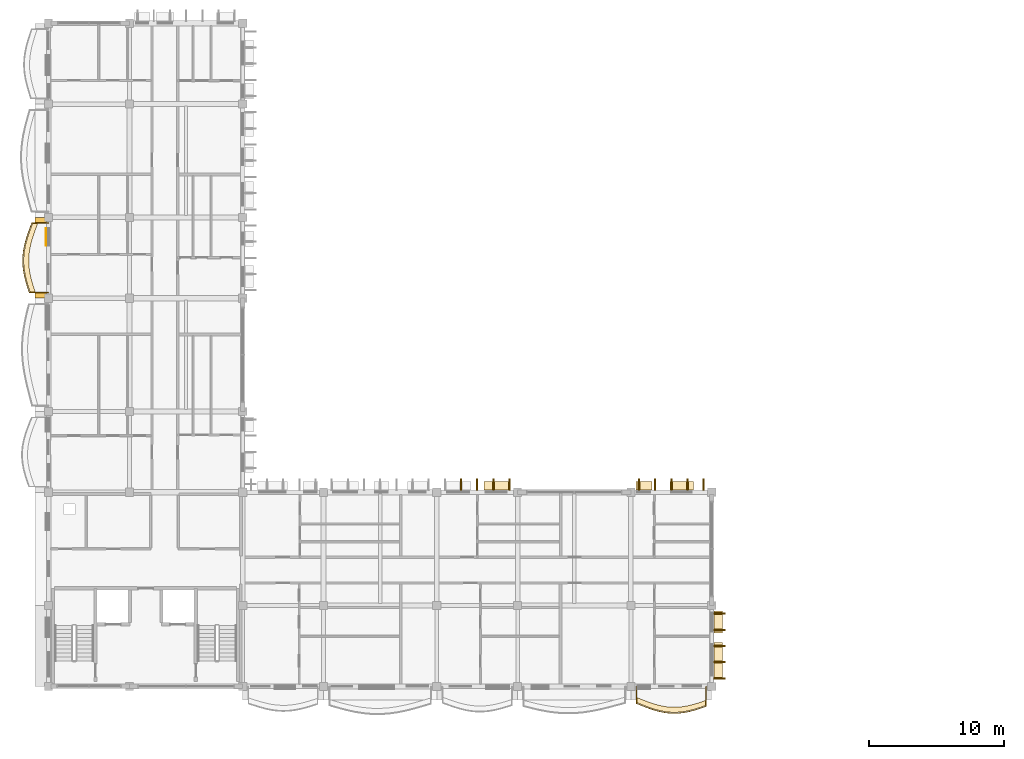
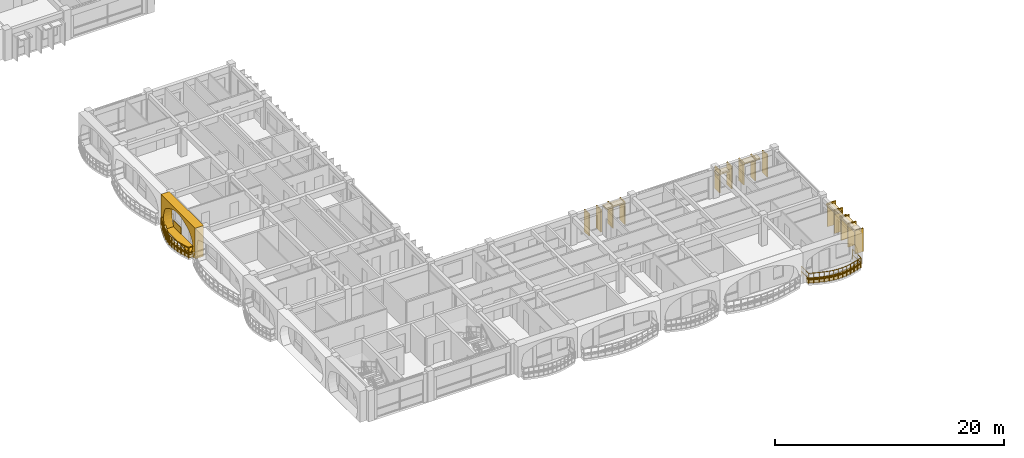
# One storey, part 55 of 79: 23 coverings, 2 railings.
"""IFC4 building model written with IfcOpenShell, lengths in metres."""

from ifc_helpers import new_model, si_unit, direction, frame, origin, origin_2d, place, context, subcontext, project, spatial, polyline, rectangle, outline, extrude, material, layer, layer_set, type_object, element, save


model = new_model("IFC4")

# Units and contexts
model_context = context("Model", 3, precision=1e-05, world=origin(), true_north=direction((0.0, 1.0)))
body_context = subcontext(model_context, "Body", "Model", "MODEL_VIEW")
ifc_project = project(units=[si_unit("LENGTHUNIT", "METRE"), si_unit("AREAUNIT", "SQUARE_METRE"), si_unit("VOLUMEUNIT", "CUBIC_METRE"), si_unit("PLANEANGLEUNIT", "RADIAN"), si_unit("MASSUNIT", "GRAM", prefix="KILO"), si_unit("THERMODYNAMICTEMPERATUREUNIT", "KELVIN")], contexts=[model_context])

# Site, building, storey
site_placement = place(None, origin())
site = spatial("IfcSite", under=ifc_project, at=site_placement, CompositionType="ELEMENT")
building_placement = place(site_placement, origin())
building = spatial("IfcBuilding", under=site, at=building_placement, Name="Thalorik Housing Commons", CompositionType="ELEMENT")
storey_placement = place(building_placement, frame((0.0, 0.0, 11.39990234375)))
storey = spatial("IfcBuildingStorey", under=building, at=storey_placement, Name="L03", CompositionType="ELEMENT", Elevation=11.39990234375)

# Coverings
ifc_material_1 = material(Name="Precast concrete C40/50", Category="concrete")
ifc_layer_1 = layer(ifc_material_1, 0.85009765625, Name="Precast concrete C40/50", Category="concrete")
ifc_layer_set_1 = layer_set([ifc_layer_1], Name="Precast concrete C40/50")
covering_type_1 = type_object("IfcCoveringType", Name="ARC-CLD-CUSH-850", PredefinedType="CLADDING", material=ifc_layer_set_1)
covering_1_placement = place(storey_placement, frame((7.822509765625, 40.199951171875, 0.0), z_axis=(0.0, 0.0, 1.0), x_axis=(0.0, -1.0, 0.0)))
element("IfcCovering", 1, at=covering_1_placement, inside=storey, type_object=covering_type_1, Name="L03 White Precast Curved Cushion Bay Frame 3716", PredefinedType="CLADDING", context=body_context, shape_type="SweptSolid", body=[
    extrude(outline(polyline([(-3.0, 0.0), (3.0, 0.0), (3.0, 3.300048828125), (-3.0, 3.300048828125), (-3.0, 0.0)]), holes=[polyline([(2.0400390625, 0.02490234375), (2.3232421875, 0.394287109375), (2.493408203125, 0.76318359375), (2.550048828125, 1.132568359375), (2.493408203125, 1.501708984375), (2.3232421875, 1.870849609375), (2.0400390625, 2.239990234375), (1.68408203125, 2.4833984375), (1.328369140625, 2.6748046875), (0.972412109375, 2.82958984375), (0.61669921875, 2.94482421875), (0.2607421875, 3.01611328125), (-0.094970703125, 3.0400390625), (-0.45068359375, 3.01611328125), (-0.806640625, 2.94482421875), (-1.16259765625, 2.82958984375), (-1.518310546875, 2.6748046875), (-1.874267578125, 2.4833984375), (-2.22998046875, 2.239990234375), (-2.40771484375, 1.870849609375), (-2.514404296875, 1.501708984375), (-2.550048828125, 1.132568359375), (-2.514404296875, 0.76318359375), (-2.40771484375, 0.394287109375), (-2.22998046875, 0.02490234375), (2.0400390625, 0.02490234375)])]), frame((0.0, 0.425048828125, 0.0), z_axis=(0.0, -1.0, 0.0), x_axis=(1.0, 0.0, 0.0)), (0.0, 0.0, 1.0), 0.85009765625),
])
ifc_layer_2 = layer(ifc_material_1, 0.85009765625, Name="Precast concrete C40/50", Category="concrete")
ifc_layer_set_2 = layer_set([ifc_layer_2], Name="Precast concrete C40/50")
covering_type_2 = type_object("IfcCoveringType", Name="ARC-CLD-FIN-850", PredefinedType="CLADDING", material=ifc_layer_set_2)
for number, where, z_axis, x_axis, name in (
    (2, (58.177490234375, 9.0, 0.0400390625), (0.0, 0.0, 1.0), (0.0, 1.0, 0.0), "L03 Courtyard Precast Vertical Brise-Soleil Fin 3736"),
    (3, (58.177490234375, 10.199951171875, 0.0400390625), (0.0, 0.0, 1.0), (0.0, 1.0, 0.0), "L03 Courtyard Precast Vertical Brise-Soleil Fin 3737"),
    (4, (58.177490234375, 11.39990234375, 0.0400390625), (0.0, 0.0, 1.0), (0.0, 1.0, 0.0), "L03 Courtyard Precast Vertical Brise-Soleil Fin 3738"),
    (5, (58.177490234375, 12.60009765625, 0.0400390625), (0.0, 0.0, 1.0), (0.0, 1.0, 0.0), "L03 Courtyard Precast Vertical Brise-Soleil Fin 3739"),
    (6, (58.177490234375, 13.800048828125, 0.0400390625), (0.0, 0.0, 1.0), (0.0, 1.0, 0.0), "L03 Courtyard Precast Vertical Brise-Soleil Fin 3740"),
):
    element("IfcCovering", number, at=place(storey_placement, frame(where, z_axis=z_axis, x_axis=x_axis)), inside=storey, type_object=covering_type_2, Name=name, PredefinedType="CLADDING", context=body_context, shape_type="SweptSolid", body=[
        extrude(rectangle(XDim=0.110107421875, YDim=0.85009765625, at=origin_2d()), origin(), (0.0, 0.0, 1.0), 2.4951171875),
    ])
for number, where, z_axis, x_axis, name in (
    (7, (57.0, 23.37744140625, 0.0400390625), (0.0, 0.0, 1.0), (-1.0, 0.0, 0.0), "L03 Courtyard Precast Vertical Brise-Soleil Fin 3743"),
    (8, (55.800048828125, 23.37744140625, 0.0400390625), (0.0, 0.0, 1.0), (-1.0, 0.0, 0.0), "L03 Courtyard Precast Vertical Brise-Soleil Fin 3744"),
    (9, (54.60009765625, 23.37744140625, 0.0400390625), (0.0, 0.0, 1.0), (-1.0, 0.0, 0.0), "L03 Courtyard Precast Vertical Brise-Soleil Fin 3745"),
    (10, (53.39990234375, 23.37744140625, 0.0400390625), (0.0, 0.0, 1.0), (-1.0, 0.0, 0.0), "L03 Courtyard Precast Vertical Brise-Soleil Fin 3746"),
    (11, (52.199951171875, 23.37744140625, 0.0400390625), (0.0, 0.0, 1.0), (-1.0, 0.0, 0.0), "L03 Courtyard Precast Vertical Brise-Soleil Fin 3747"),
    (12, (42.60009765625, 23.37744140625, 0.0400390625), (0.0, 0.0, 1.0), (-1.0, 0.0, 0.0), "L03 Courtyard Precast Vertical Brise-Soleil Fin 3750"),
    (13, (41.39990234375, 23.37744140625, 0.0400390625), (0.0, 0.0, 1.0), (-1.0, 0.0, 0.0), "L03 Courtyard Precast Vertical Brise-Soleil Fin 3751"),
    (14, (40.199951171875, 23.37744140625, 0.0400390625), (0.0, 0.0, 1.0), (-1.0, 0.0, 0.0), "L03 Courtyard Precast Vertical Brise-Soleil Fin 3752"),
    (15, (39.0, 23.37744140625, 0.0400390625), (0.0, 0.0, 1.0), (-1.0, 0.0, 0.0), "L03 Courtyard Precast Vertical Brise-Soleil Fin 3753"),
):
    element("IfcCovering", number, at=place(storey_placement, frame(where, z_axis=z_axis, x_axis=x_axis)), inside=storey, type_object=covering_type_2, Name=name, PredefinedType="CLADDING", context=body_context, shape_type="SweptSolid", body=[
        extrude(rectangle(XDim=0.110107421875, YDim=0.85009765625, at=origin_2d()), origin(), (0.0, 0.0, 1.0), 2.39501953125),
    ])
ifc_layer_3 = layer(ifc_material_1, 0.64990234375, Name="Precast concrete C40/50", Category="concrete")
ifc_layer_set_3 = layer_set([ifc_layer_3], Name="Precast concrete C40/50")
covering_type_3 = type_object("IfcCoveringType", Name="ARC-CLD-HOOD-650", PredefinedType="CLADDING", material=ifc_layer_set_3)
covering_2_placement = place(storey_placement, frame((58.077392578125, 10.353759765625, 2.34033203125), z_axis=(0.0, 0.0, 1.0), x_axis=(0.0, 1.0, 0.0)))
element("IfcCovering", 16, at=covering_2_placement, inside=storey, type_object=covering_type_3, Name="L03 Courtyard Precast Window Sun-Hood 3741", PredefinedType="CLADDING", context=body_context, shape_type="SweptSolid", body=[
    extrude(rectangle(XDim=2.590087890625, YDim=0.64990234375, at=origin_2d()), origin(), (0.0, 0.0, 1.0), 0.139892578125),
])
covering_3_placement = place(storey_placement, frame((58.077392578125, 13.163818359375, 2.240234375), z_axis=(0.0, 0.0, 1.0), x_axis=(0.0, 1.0, 0.0)))
element("IfcCovering", 17, at=covering_3_placement, inside=storey, type_object=covering_type_3, Name="L03 Courtyard Precast Window Sun-Hood 3742", PredefinedType="CLADDING", context=body_context, shape_type="SweptSolid", body=[
    extrude(rectangle(XDim=1.639892578125, YDim=0.64990234375, at=origin_2d()), origin(), (0.0, 0.0, 1.0), 0.139892578125),
])
covering_4_placement = place(storey_placement, frame((55.373291015625, 23.277587890625, 2.2099609375), z_axis=(0.0, 0.0, 1.0), x_axis=(-1.0, 0.0, 0.0)))
element("IfcCovering", 18, at=covering_4_placement, inside=storey, type_object=covering_type_3, Name="L03 Courtyard Precast Window Sun-Hood 3748", PredefinedType="CLADDING", context=body_context, shape_type="SweptSolid", body=[
    extrude(rectangle(XDim=1.760009765625, YDim=0.64990234375, at=origin_2d()), origin(), (0.0, 0.0, 1.0), 0.139892578125),
])
covering_5_placement = place(storey_placement, frame((52.5634765625, 23.277587890625, 1.93994140625), z_axis=(0.0, 0.0, 1.0), x_axis=(-1.0, 0.0, 0.0)))
element("IfcCovering", 19, at=covering_5_placement, inside=storey, type_object=covering_type_3, Name="L03 Courtyard Precast Window Sun-Hood 3749", PredefinedType="CLADDING", context=body_context, shape_type="SweptSolid", body=[
    extrude(rectangle(XDim=1.18994140625, YDim=0.64990234375, at=origin_2d()), origin(), (0.0, 0.0, 1.0), 0.139892578125),
])
covering_6_placement = place(storey_placement, frame((41.611328125, 23.277587890625, 2.27001953125), z_axis=(0.0, 0.0, 1.0), x_axis=(-1.0, 0.0, 0.0)))
element("IfcCovering", 20, at=covering_6_placement, inside=storey, type_object=covering_type_3, Name="L03 Courtyard Precast Window Sun-Hood 3755", PredefinedType="CLADDING", context=body_context, shape_type="SweptSolid", body=[
    extrude(rectangle(XDim=1.820068359375, YDim=0.64990234375, at=origin_2d()), origin(), (0.0, 0.0, 1.0), 0.139892578125),
])
ifc_material_2 = material(Name="Mineral ochre architectural terracotta panel", Category="masonry")
ifc_layer_4 = layer(ifc_material_2, 0.06494140625, Name="Mineral ochre architectural terracotta panel", Category="masonry")
ifc_layer_set_4 = layer_set([ifc_layer_4], Name="Mineral ochre architectural terracotta panel")
covering_type_4 = type_object("IfcCoveringType", Name="ARC-CLD-YEL-65", PredefinedType="CLADDING", material=ifc_layer_set_4)
covering_7_placement = place(storey_placement, frame((8.2099609375, 41.72998046875, 0.05029296875), z_axis=(0.0, 0.0, 1.0), x_axis=(0.0, -1.0, 0.0)))
element("IfcCovering", 21, at=covering_7_placement, inside=storey, type_object=covering_type_4, Name="L03 De Stijl Recessed Window Spandrel 3717", PredefinedType="CLADDING", context=body_context, shape_type="SweptSolid", body=[
    extrude(rectangle(XDim=1.300048828125, YDim=0.06494140625, at=origin_2d()), origin(), (0.0, 0.0, 1.0), 0.699951171875),
])
ifc_material_3 = material(Name="Planted vegetated substrate and terracotta trough", Category="masonry")
ifc_layer_5 = layer(ifc_material_3, 0.340087890625, Name="Planted vegetated substrate and terracotta trough", Category="masonry")
ifc_layer_set_5 = layer_set([ifc_layer_5], Name="Planted vegetated substrate and terracotta trough")
covering_type_5 = type_object("IfcCoveringType", Name="ARC-COV-PLANTER", PredefinedType="USERDEFINED", material=ifc_layer_set_5)
covering_8_placement = place(storey_placement, origin())
element("IfcCovering", 22, at=covering_8_placement, inside=storey, type_object=covering_type_5, Name="L03 Balcony Slab-Edge Planted Trough 5579", ObjectType="PLANTER", PredefinedType="USERDEFINED", context=body_context, shape_type="SweptSolid", body=[
    extrude(outline(polyline([(7.219482421875, 42.780029296875), (7.060791015625, 42.35009765625), (6.90869140625, 41.919921875), (6.773681640625, 41.489990234375), (6.6640625, 41.06005859375), (6.58740234375, 40.6298828125), (6.548583984375, 40.199951171875), (6.549072265625, 39.77001953125), (6.588623046875, 39.340087890625), (6.66357421875, 38.909912109375), (6.768310546875, 38.47998046875), (6.894775390625, 38.050048828125), (7.03369140625, 37.6201171875), (7.41357421875, 37.6201171875), (7.274658203125, 38.050048828125), (7.148193359375, 38.47998046875), (7.043701171875, 38.909912109375), (6.968505859375, 39.340087890625), (6.92919921875, 39.77001953125), (6.928466796875, 40.199951171875), (6.967529296875, 40.6298828125), (7.044189453125, 41.06005859375), (7.153564453125, 41.489990234375), (7.288818359375, 41.919921875), (7.44091796875, 42.35009765625), (7.599609375, 42.780029296875), (7.219482421875, 42.780029296875)])), origin(), (0.0, 0.0, 1.0), 0.340087890625),
])
covering_9_placement = place(storey_placement, origin())
element("IfcCovering", 23, at=covering_9_placement, inside=storey, type_object=covering_type_5, Name="L03 Balcony Slab-Edge Planted Trough 5586", ObjectType="PLANTER", PredefinedType="USERDEFINED", context=body_context, shape_type="SweptSolid", body=[
    extrude(outline(polyline([(52.02001953125, 7.20068359375), (52.449951171875, 7.028564453125), (52.8798828125, 6.864013671875), (53.31005859375, 6.718017578125), (53.739990234375, 6.599853515625), (54.169921875, 6.5166015625), (54.60009765625, 6.473388671875), (55.030029296875, 6.47265625), (55.4599609375, 6.51318359375), (55.889892578125, 6.59228515625), (56.320068359375, 6.703125), (56.75, 6.83837890625), (57.179931640625, 6.98779296875), (57.179931640625, 7.367919921875), (56.75, 7.21826171875), (56.320068359375, 7.083251953125), (55.889892578125, 6.97216796875), (55.4599609375, 6.893310546875), (55.030029296875, 6.8525390625), (54.60009765625, 6.853515625), (54.169921875, 6.896484375), (53.739990234375, 6.979736328125), (53.31005859375, 7.09814453125), (52.8798828125, 7.244140625), (52.449951171875, 7.40869140625), (52.02001953125, 7.580810546875), (52.02001953125, 7.20068359375)])), origin(), (0.0, 0.0, 1.0), 0.340087890625),
])

# Railings
ifc_material_4 = material(Name="Steel S355", Category="steel")
railing_type_1 = type_object("IfcRailingType", Name="ARC-RL-BAL-112", PredefinedType="BALUSTRADE", material=ifc_material_4)
railing_1_placement = place(storey_placement, frame((52.02001953125, 8.39990234375, 0.0)))
element("IfcRailing", 24, at=railing_1_placement, inside=storey, type_object=railing_type_1, Name="L03 Cushion Balcony Guardrail 270", PredefinedType="BALUSTRADE", context=body_context, shape_type="SweptSolid", body=[
    extrude(rectangle(XDim=0.050048828125, YDim=0.050048828125, at=origin_2d()), frame((0.0, 0.0, 1.09521484375), z_axis=(0.0, -1.0, 0.0), x_axis=(1.0, 0.0, 0.0)), (0.0, 0.0, 1.0), 1.26904296875),
    extrude(rectangle(XDim=0.050048828125, YDim=0.050048828125, at=origin_2d()), frame((0.0, 0.0, 0.53515625), z_axis=(0.0, -1.0, 0.0), x_axis=(1.0, 0.0, 0.0)), (0.0, 0.0, 1.0), 1.26904296875),
    extrude(rectangle(XDim=0.050048828125, YDim=0.050048828125, at=origin_2d()), frame((0.0, -1.26904296875, 1.09521484375), z_axis=(0.928185604214, -0.372117567618, 0.0), x_axis=(0.372117567618, 0.928185604214, 0.0)), (0.0, 0.0, 1.0), 0.463134765625),
    extrude(rectangle(XDim=0.050048828125, YDim=0.050048828125, at=origin_2d()), frame((0.0, -1.26904296875, 0.53515625), z_axis=(0.928185604214, -0.372117567618, 0.0), x_axis=(0.372117567618, 0.928185604214, 0.0)), (0.0, 0.0, 1.0), 0.463134765625),
    extrude(rectangle(XDim=0.050048828125, YDim=0.050048828125, at=origin_2d()), frame((0.429931640625, -1.44140625, 1.09521484375), z_axis=(0.934109070597, -0.356987736804, 0.0), x_axis=(0.356987736804, 0.934109070597, 0.0)), (0.0, 0.0, 1.0), 0.460205078125),
    extrude(rectangle(XDim=0.050048828125, YDim=0.050048828125, at=origin_2d()), frame((0.429931640625, -1.44140625, 0.53515625), z_axis=(0.934109070597, -0.356987736804, 0.0), x_axis=(0.356987736804, 0.934109070597, 0.0)), (0.0, 0.0, 1.0), 0.460205078125),
    extrude(rectangle(XDim=0.050048828125, YDim=0.050048828125, at=origin_2d()), frame((0.85986328125, -1.605712890625, 1.09521484375), z_axis=(0.946949496671, -0.321382405794, 0.0), x_axis=(0.321382405794, 0.946949496671, 0.0)), (0.0, 0.0, 1.0), 0.454345703125),
    extrude(rectangle(XDim=0.050048828125, YDim=0.050048828125, at=origin_2d()), frame((0.85986328125, -1.605712890625, 0.53515625), z_axis=(0.946949496671, -0.321382405794, 0.0), x_axis=(0.321382405794, 0.946949496671, 0.0)), (0.0, 0.0, 1.0), 0.454345703125),
    extrude(rectangle(XDim=0.050048828125, YDim=0.050048828125, at=origin_2d()), frame((1.2900390625, -1.751708984375, 1.09521484375), z_axis=(0.964103843637, -0.265525476527, 0.0), x_axis=(0.265525476527, 0.964103843637, 0.0)), (0.0, 0.0, 1.0), 0.446044921875),
    extrude(rectangle(XDim=0.050048828125, YDim=0.050048828125, at=origin_2d()), frame((1.2900390625, -1.751708984375, 0.53515625), z_axis=(0.964103843637, -0.265525476527, 0.0), x_axis=(0.265525476527, 0.964103843637, 0.0)), (0.0, 0.0, 1.0), 0.446044921875),
    extrude(rectangle(XDim=0.050048828125, YDim=0.050048828125, at=origin_2d()), frame((1.719970703125, -1.8701171875, 1.09521484375), z_axis=(0.981763071343, -0.190108578835, 0.0), x_axis=(0.190108578835, 0.981763071343, 0.0)), (0.0, 0.0, 1.0), 0.43798828125),
    extrude(rectangle(XDim=0.050048828125, YDim=0.050048828125, at=origin_2d()), frame((1.719970703125, -1.8701171875, 0.53515625), z_axis=(0.981763071343, -0.190108578835, 0.0), x_axis=(0.190108578835, 0.981763071343, 0.0)), (0.0, 0.0, 1.0), 0.43798828125),
    extrude(rectangle(XDim=0.050048828125, YDim=0.050048828125, at=origin_2d()), frame((2.14990234375, -1.953369140625, 1.09521484375), z_axis=(0.995048366632, -0.099391891332, 0.0), x_axis=(0.099391891332, 0.995048366632, 0.0)), (0.0, 0.0, 1.0), 0.432373046875),
    extrude(rectangle(XDim=0.050048828125, YDim=0.050048828125, at=origin_2d()), frame((2.14990234375, -1.953369140625, 0.53515625), z_axis=(0.995048366632, -0.099391891332, 0.0), x_axis=(0.099391891332, 0.995048366632, 0.0)), (0.0, 0.0, 1.0), 0.432373046875),
    extrude(rectangle(XDim=0.050048828125, YDim=0.050048828125, at=origin_2d()), frame((2.580078125, -1.996337890625, 1.09521484375), z_axis=(0.999997420298, -0.002271430824, 0.0), x_axis=(0.002271430824, 0.999997420298, 0.0)), (0.0, 0.0, 1.0), 0.429931640625),
    extrude(rectangle(XDim=0.050048828125, YDim=0.050048828125, at=origin_2d()), frame((2.580078125, -1.996337890625, 0.53515625), z_axis=(0.999997420298, -0.002271430824, 0.0), x_axis=(0.002271430824, 0.999997420298, 0.0)), (0.0, 0.0, 1.0), 0.429931640625),
    extrude(rectangle(XDim=0.050048828125, YDim=0.050048828125, at=origin_2d()), frame((3.010009765625, -1.997314453125, 1.09521484375), z_axis=(0.995533503814, 0.094408912627, 0.0), x_axis=(-0.094408912627, 0.995533503814, 0.0)), (0.0, 0.0, 1.0), 0.431884765625),
    extrude(rectangle(XDim=0.050048828125, YDim=0.050048828125, at=origin_2d()), frame((3.010009765625, -1.997314453125, 0.53515625), z_axis=(0.995533503814, 0.094408912627, 0.0), x_axis=(-0.094408912627, 0.995533503814, 0.0)), (0.0, 0.0, 1.0), 0.431884765625),
    extrude(rectangle(XDim=0.050048828125, YDim=0.050048828125, at=origin_2d()), frame((3.43994140625, -1.95654296875, 1.09521484375), z_axis=(0.983591693619, 0.180408925065, 0.0), x_axis=(-0.180408925065, 0.983591693619, 0.0)), (0.0, 0.0, 1.0), 0.43701171875),
    extrude(rectangle(XDim=0.050048828125, YDim=0.050048828125, at=origin_2d()), frame((3.43994140625, -1.95654296875, 0.53515625), z_axis=(0.983591693619, 0.180408925065, 0.0), x_axis=(-0.180408925065, 0.983591693619, 0.0)), (0.0, 0.0, 1.0), 0.43701171875),
    extrude(rectangle(XDim=0.050048828125, YDim=0.050048828125, at=origin_2d()), frame((3.869873046875, -1.877685546875, 1.09521484375), z_axis=(0.968238712346, 0.250027590305, 0.0), x_axis=(-0.250027590305, 0.968238712346, 0.0)), (0.0, 0.0, 1.0), 0.4443359375),
    extrude(rectangle(XDim=0.050048828125, YDim=0.050048828125, at=origin_2d()), frame((3.869873046875, -1.877685546875, 0.53515625), z_axis=(0.968238712346, 0.250027590305, 0.0), x_axis=(-0.250027590305, 0.968238712346, 0.0)), (0.0, 0.0, 1.0), 0.4443359375),
    extrude(rectangle(XDim=0.050048828125, YDim=0.050048828125, at=origin_2d()), frame((4.300048828125, -1.7666015625, 1.09521484375), z_axis=(0.954064531488, 0.299601184505, 0.0), x_axis=(-0.299601184505, 0.954064531488, 0.0)), (0.0, 0.0, 1.0), 0.45068359375),
    extrude(rectangle(XDim=0.050048828125, YDim=0.050048828125, at=origin_2d()), frame((4.300048828125, -1.7666015625, 0.53515625), z_axis=(0.954064531488, 0.299601184505, 0.0), x_axis=(-0.299601184505, 0.954064531488, 0.0)), (0.0, 0.0, 1.0), 0.45068359375),
    extrude(rectangle(XDim=0.050048828125, YDim=0.050048828125, at=origin_2d()), frame((4.72998046875, -1.631591796875, 1.09521484375), z_axis=(0.944583599267, 0.328270961244, 0.0), x_axis=(-0.328270961244, 0.944583599267, 0.0)), (0.0, 0.0, 1.0), 0.455078125),
    extrude(rectangle(XDim=0.050048828125, YDim=0.050048828125, at=origin_2d()), frame((4.72998046875, -1.631591796875, 0.53515625), z_axis=(0.944583599267, 0.328270961244, 0.0), x_axis=(-0.328270961244, 0.944583599267, 0.0)), (0.0, 0.0, 1.0), 0.455078125),
    extrude(rectangle(XDim=0.050048828125, YDim=0.050048828125, at=origin_2d()), frame((5.159912109375, -1.482177734375, 1.09521484375), z_axis=(0.0, 1.0, 0.0), x_axis=(-1.0, 0.0, 0.0)), (0.0, 0.0, 1.0), 1.482177734375),
    extrude(rectangle(XDim=0.050048828125, YDim=0.050048828125, at=origin_2d()), frame((5.159912109375, -1.482177734375, 0.53515625), z_axis=(0.0, 1.0, 0.0), x_axis=(-1.0, 0.0, 0.0)), (0.0, 0.0, 1.0), 1.482177734375),
    extrude(rectangle(XDim=0.0419921875, YDim=0.0419921875, at=origin_2d()), origin(), (0.0, 0.0, 1.0), 1.070068359375),
    extrude(rectangle(XDim=0.0419921875, YDim=0.0419921875, at=origin_2d()), frame((0.0, -1.26904296875, 0.0)), (0.0, 0.0, 1.0), 1.070068359375),
    extrude(rectangle(XDim=0.0419921875, YDim=0.0419921875, at=origin_2d()), frame((0.429931640625, -1.44140625, 0.0)), (0.0, 0.0, 1.0), 1.070068359375),
    extrude(rectangle(XDim=0.0419921875, YDim=0.0419921875, at=origin_2d()), frame((0.85986328125, -1.605712890625, 0.0)), (0.0, 0.0, 1.0), 1.070068359375),
    extrude(rectangle(XDim=0.0419921875, YDim=0.0419921875, at=origin_2d()), frame((1.2900390625, -1.751708984375, 0.0)), (0.0, 0.0, 1.0), 1.070068359375),
    extrude(rectangle(XDim=0.0419921875, YDim=0.0419921875, at=origin_2d()), frame((1.719970703125, -1.8701171875, 0.0)), (0.0, 0.0, 1.0), 1.070068359375),
    extrude(rectangle(XDim=0.0419921875, YDim=0.0419921875, at=origin_2d()), frame((2.14990234375, -1.953369140625, 0.0)), (0.0, 0.0, 1.0), 1.070068359375),
    extrude(rectangle(XDim=0.0419921875, YDim=0.0419921875, at=origin_2d()), frame((2.580078125, -1.996337890625, 0.0)), (0.0, 0.0, 1.0), 1.070068359375),
    extrude(rectangle(XDim=0.0419921875, YDim=0.0419921875, at=origin_2d()), frame((3.010009765625, -1.997314453125, 0.0)), (0.0, 0.0, 1.0), 1.070068359375),
    extrude(rectangle(XDim=0.0419921875, YDim=0.0419921875, at=origin_2d()), frame((3.43994140625, -1.95654296875, 0.0)), (0.0, 0.0, 1.0), 1.070068359375),
    extrude(rectangle(XDim=0.0419921875, YDim=0.0419921875, at=origin_2d()), frame((3.869873046875, -1.877685546875, 0.0)), (0.0, 0.0, 1.0), 1.070068359375),
    extrude(rectangle(XDim=0.0419921875, YDim=0.0419921875, at=origin_2d()), frame((4.300048828125, -1.7666015625, 0.0)), (0.0, 0.0, 1.0), 1.070068359375),
    extrude(rectangle(XDim=0.0419921875, YDim=0.0419921875, at=origin_2d()), frame((4.72998046875, -1.631591796875, 0.0)), (0.0, 0.0, 1.0), 1.070068359375),
    extrude(rectangle(XDim=0.0419921875, YDim=0.0419921875, at=origin_2d()), frame((5.159912109375, -1.482177734375, 0.0)), (0.0, 0.0, 1.0), 1.070068359375),
    extrude(rectangle(XDim=0.0419921875, YDim=0.0419921875, at=origin_2d()), frame((5.159912109375, 0.0, 0.0)), (0.0, 0.0, 1.0), 1.070068359375),
])
railing_type_2 = type_object("IfcRailingType", Name="ARC-RL-BAL-115", PredefinedType="BALUSTRADE", material=ifc_material_4)
railing_2_placement = place(storey_placement, frame((8.39990234375, 42.780029296875, 0.0)))
element("IfcRailing", 25, at=railing_2_placement, inside=storey, type_object=railing_type_2, Name="L03 Cushion Balcony Guardrail 263", PredefinedType="BALUSTRADE", context=body_context, shape_type="SweptSolid", body=[
    extrude(rectangle(XDim=0.050048828125, YDim=0.050048828125, at=origin_2d()), frame((0.0, 0.0, 1.125), z_axis=(-1.0, 0.0, 0.0), x_axis=(0.0, -1.0, 0.0)), (0.0, 0.0, 1.0), 1.250244140625),
    extrude(rectangle(XDim=0.050048828125, YDim=0.050048828125, at=origin_2d()), frame((0.0, 0.0, 0.5498046875), z_axis=(-1.0, 0.0, 0.0), x_axis=(0.0, -1.0, 0.0)), (0.0, 0.0, 1.0), 1.250244140625),
    extrude(rectangle(XDim=0.050048828125, YDim=0.050048828125, at=origin_2d()), frame((-1.250244140625, 0.0, 1.125), z_axis=(-0.346273105467, -0.938133751887, 0.0), x_axis=(0.938133751887, -0.346273105467, 0.0)), (0.0, 0.0, 1.0), 0.458251953125),
    extrude(rectangle(XDim=0.050048828125, YDim=0.050048828125, at=origin_2d()), frame((-1.250244140625, 0.0, 0.5498046875), z_axis=(-0.346273105467, -0.938133751887, 0.0), x_axis=(0.938133751887, -0.346273105467, 0.0)), (0.0, 0.0, 1.0), 0.458251953125),
    extrude(rectangle(XDim=0.050048828125, YDim=0.050048828125, at=origin_2d()), frame((-1.408935546875, -0.429931640625, 1.125), z_axis=(-0.333351847239, -0.942802495723, 0.0), x_axis=(0.942802495723, -0.333351847239, 0.0)), (0.0, 0.0, 1.0), 0.456298828125),
    extrude(rectangle(XDim=0.050048828125, YDim=0.050048828125, at=origin_2d()), frame((-1.408935546875, -0.429931640625, 0.5498046875), z_axis=(-0.333351847239, -0.942802495723, 0.0), x_axis=(0.942802495723, -0.333351847239, 0.0)), (0.0, 0.0, 1.0), 0.456298828125),
    extrude(rectangle(XDim=0.050048828125, YDim=0.050048828125, at=origin_2d()), frame((-1.56103515625, -0.860107421875, 1.125), z_axis=(-0.300094208559, -0.953909569084, 0.0), x_axis=(0.953909569084, -0.300094208559, 0.0)), (0.0, 0.0, 1.0), 0.45068359375),
    extrude(rectangle(XDim=0.050048828125, YDim=0.050048828125, at=origin_2d()), frame((-1.56103515625, -0.860107421875, 0.5498046875), z_axis=(-0.300094208559, -0.953909569084, 0.0), x_axis=(0.953909569084, -0.300094208559, 0.0)), (0.0, 0.0, 1.0), 0.45068359375),
    extrude(rectangle(XDim=0.050048828125, YDim=0.050048828125, at=origin_2d()), frame((-1.6962890625, -1.2900390625, 1.125), z_axis=(-0.247064490889, -0.968999038876, 0.0), x_axis=(0.968999038876, -0.247064490889, 0.0)), (0.0, 0.0, 1.0), 0.443603515625),
    extrude(rectangle(XDim=0.050048828125, YDim=0.050048828125, at=origin_2d()), frame((-1.6962890625, -1.2900390625, 0.5498046875), z_axis=(-0.247064490889, -0.968999038876, 0.0), x_axis=(0.968999038876, -0.247064490889, 0.0)), (0.0, 0.0, 1.0), 0.443603515625),
    extrude(rectangle(XDim=0.050048828125, YDim=0.050048828125, at=origin_2d()), frame((-1.805908203125, -1.719970703125, 1.125), z_axis=(-0.174900925043, -0.984586038099, 0.0), x_axis=(0.984586038099, -0.174900925043, 0.0)), (0.0, 0.0, 1.0), 0.43701171875),
    extrude(rectangle(XDim=0.050048828125, YDim=0.050048828125, at=origin_2d()), frame((-1.805908203125, -1.719970703125, 0.5498046875), z_axis=(-0.174900925043, -0.984586038099, 0.0), x_axis=(0.984586038099, -0.174900925043, 0.0)), (0.0, 0.0, 1.0), 0.43701171875),
    extrude(rectangle(XDim=0.050048828125, YDim=0.050048828125, at=origin_2d()), frame((-1.88232421875, -2.150146484375, 1.125), z_axis=(-0.090484755539, -0.995897840652, 0.0), x_axis=(0.995897840652, -0.090484755539, 0.0)), (0.0, 0.0, 1.0), 0.431640625),
    extrude(rectangle(XDim=0.050048828125, YDim=0.050048828125, at=origin_2d()), frame((-1.88232421875, -2.150146484375, 0.5498046875), z_axis=(-0.090484755539, -0.995897840652, 0.0), x_axis=(0.995897840652, -0.090484755539, 0.0)), (0.0, 0.0, 1.0), 0.431640625),
    extrude(rectangle(XDim=0.050048828125, YDim=0.050048828125, at=origin_2d()), frame((-1.92138671875, -2.580078125, 1.125), z_axis=(0.001135717609, -0.999999355073, 0.0), x_axis=(0.999999355073, 0.001135717609, 0.0)), (0.0, 0.0, 1.0), 0.429931640625),
    extrude(rectangle(XDim=0.050048828125, YDim=0.050048828125, at=origin_2d()), frame((-1.92138671875, -2.580078125, 0.5498046875), z_axis=(0.001135717609, -0.999999355073, 0.0), x_axis=(0.999999355073, 0.001135717609, 0.0)), (0.0, 0.0, 1.0), 0.429931640625),
    extrude(rectangle(XDim=0.050048828125, YDim=0.050048828125, at=origin_2d()), frame((-1.9208984375, -3.010009765625, 1.125), z_axis=(0.091606381543, -0.995795295661, 0.0), x_axis=(0.995795295661, 0.091606381543, 0.0)), (0.0, 0.0, 1.0), 0.431640625),
    extrude(rectangle(XDim=0.050048828125, YDim=0.050048828125, at=origin_2d()), frame((-1.9208984375, -3.010009765625, 0.5498046875), z_axis=(0.091606381543, -0.995795295661, 0.0), x_axis=(0.995795295661, 0.091606381543, 0.0)), (0.0, 0.0, 1.0), 0.431640625),
    extrude(rectangle(XDim=0.050048828125, YDim=0.050048828125, at=origin_2d()), frame((-1.88134765625, -3.43994140625, 1.125), z_axis=(0.171647909566, -0.985158360438, 0.0), x_axis=(0.985158360438, 0.171647909566, 0.0)), (0.0, 0.0, 1.0), 0.436767578125),
    extrude(rectangle(XDim=0.050048828125, YDim=0.050048828125, at=origin_2d()), frame((-1.88134765625, -3.43994140625, 0.5498046875), z_axis=(0.171647909566, -0.985158360438, 0.0), x_axis=(0.985158360438, 0.171647909566, 0.0)), (0.0, 0.0, 1.0), 0.436767578125),
    extrude(rectangle(XDim=0.050048828125, YDim=0.050048828125, at=origin_2d()), frame((-1.806396484375, -3.8701171875, 1.125), z_axis=(0.236689448034, -0.971585356615, 0.0), x_axis=(0.971585356615, 0.236689448034, 0.0)), (0.0, 0.0, 1.0), 0.442626953125),
    extrude(rectangle(XDim=0.050048828125, YDim=0.050048828125, at=origin_2d()), frame((-1.806396484375, -3.8701171875, 0.5498046875), z_axis=(0.236689448034, -0.971585356615, 0.0), x_axis=(0.971585356615, 0.236689448034, 0.0)), (0.0, 0.0, 1.0), 0.442626953125),
    extrude(rectangle(XDim=0.050048828125, YDim=0.050048828125, at=origin_2d()), frame((-1.70166015625, -4.300048828125, 1.125), z_axis=(0.282195818294, -0.959356826284, 0.0), x_axis=(0.959356826284, 0.282195818294, 0.0)), (0.0, 0.0, 1.0), 0.4482421875),
    extrude(rectangle(XDim=0.050048828125, YDim=0.050048828125, at=origin_2d()), frame((-1.70166015625, -4.300048828125, 0.5498046875), z_axis=(0.282195818294, -0.959356826284, 0.0), x_axis=(0.959356826284, 0.282195818294, 0.0)), (0.0, 0.0, 1.0), 0.4482421875),
    extrude(rectangle(XDim=0.050048828125, YDim=0.050048828125, at=origin_2d()), frame((-1.5751953125, -4.72998046875, 1.125), z_axis=(0.307460592586, -0.951560814665, 0.0), x_axis=(0.951560814665, 0.307460592586, 0.0)), (0.0, 0.0, 1.0), 0.451904296875),
    extrude(rectangle(XDim=0.050048828125, YDim=0.050048828125, at=origin_2d()), frame((-1.5751953125, -4.72998046875, 0.5498046875), z_axis=(0.307460592586, -0.951560814665, 0.0), x_axis=(0.951560814665, 0.307460592586, 0.0)), (0.0, 0.0, 1.0), 0.451904296875),
    extrude(rectangle(XDim=0.050048828125, YDim=0.050048828125, at=origin_2d()), frame((-1.436279296875, -5.159912109375, 1.125), z_axis=(1.0, 0.0, 0.0), x_axis=(0.0, 1.0, 0.0)), (0.0, 0.0, 1.0), 1.436279296875),
    extrude(rectangle(XDim=0.050048828125, YDim=0.050048828125, at=origin_2d()), frame((-1.436279296875, -5.159912109375, 0.5498046875), z_axis=(1.0, 0.0, 0.0), x_axis=(0.0, 1.0, 0.0)), (0.0, 0.0, 1.0), 1.436279296875),
    extrude(rectangle(XDim=0.0419921875, YDim=0.0419921875, at=origin_2d()), origin(), (0.0, 0.0, 1.0), 1.099853515625),
    extrude(rectangle(XDim=0.0419921875, YDim=0.0419921875, at=origin_2d()), frame((-1.250244140625, 0.0, 0.0)), (0.0, 0.0, 1.0), 1.099853515625),
    extrude(rectangle(XDim=0.0419921875, YDim=0.0419921875, at=origin_2d()), frame((-1.408935546875, -0.429931640625, 0.0)), (0.0, 0.0, 1.0), 1.099853515625),
    extrude(rectangle(XDim=0.0419921875, YDim=0.0419921875, at=origin_2d()), frame((-1.56103515625, -0.860107421875, 0.0)), (0.0, 0.0, 1.0), 1.099853515625),
    extrude(rectangle(XDim=0.0419921875, YDim=0.0419921875, at=origin_2d()), frame((-1.6962890625, -1.2900390625, 0.0)), (0.0, 0.0, 1.0), 1.099853515625),
    extrude(rectangle(XDim=0.0419921875, YDim=0.0419921875, at=origin_2d()), frame((-1.805908203125, -1.719970703125, 0.0)), (0.0, 0.0, 1.0), 1.099853515625),
    extrude(rectangle(XDim=0.0419921875, YDim=0.0419921875, at=origin_2d()), frame((-1.88232421875, -2.150146484375, 0.0)), (0.0, 0.0, 1.0), 1.099853515625),
    extrude(rectangle(XDim=0.0419921875, YDim=0.0419921875, at=origin_2d()), frame((-1.92138671875, -2.580078125, 0.0)), (0.0, 0.0, 1.0), 1.099853515625),
    extrude(rectangle(XDim=0.0419921875, YDim=0.0419921875, at=origin_2d()), frame((-1.9208984375, -3.010009765625, 0.0)), (0.0, 0.0, 1.0), 1.099853515625),
    extrude(rectangle(XDim=0.0419921875, YDim=0.0419921875, at=origin_2d()), frame((-1.88134765625, -3.43994140625, 0.0)), (0.0, 0.0, 1.0), 1.099853515625),
    extrude(rectangle(XDim=0.0419921875, YDim=0.0419921875, at=origin_2d()), frame((-1.806396484375, -3.8701171875, 0.0)), (0.0, 0.0, 1.0), 1.099853515625),
    extrude(rectangle(XDim=0.0419921875, YDim=0.0419921875, at=origin_2d()), frame((-1.70166015625, -4.300048828125, 0.0)), (0.0, 0.0, 1.0), 1.099853515625),
    extrude(rectangle(XDim=0.0419921875, YDim=0.0419921875, at=origin_2d()), frame((-1.5751953125, -4.72998046875, 0.0)), (0.0, 0.0, 1.0), 1.099853515625),
    extrude(rectangle(XDim=0.0419921875, YDim=0.0419921875, at=origin_2d()), frame((-1.436279296875, -5.159912109375, 0.0)), (0.0, 0.0, 1.0), 1.099853515625),
    extrude(rectangle(XDim=0.0419921875, YDim=0.0419921875, at=origin_2d()), frame((0.0, -5.159912109375, 0.0)), (0.0, 0.0, 1.0), 1.099853515625),
])

save(model, "model.ifc")
